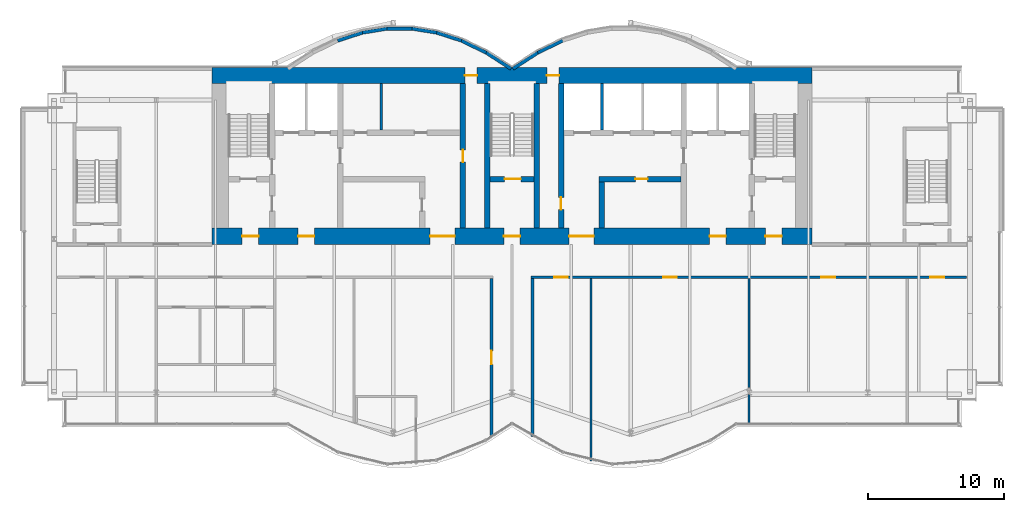
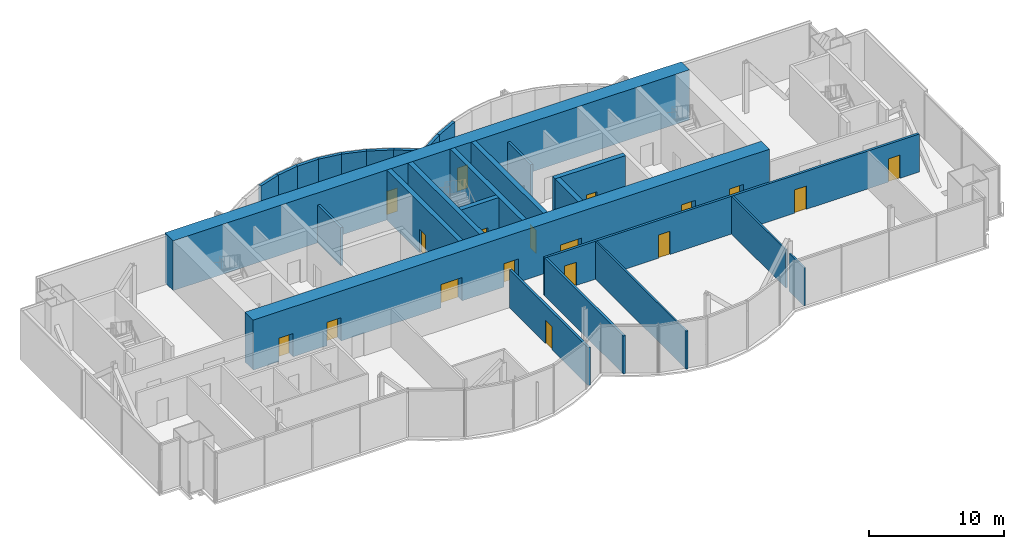
# One storey, part 13 of 18: 26 walls, 18 doors, 18 openings.
"""IFC4 building model written with IfcOpenShell, lengths in metres."""

import ifcopenshell
import ifcopenshell.guid

model = None  # the IFC model being written
_history = None  # IfcOwnerHistory: only IFC2X3 demands one
_inside = {}  # id of a spatial element -> (the spatial element, [elements in it])
_under = {}  # id of a project, library or spatial element -> (it, [spatial elements below it])
_declared = {}  # id of a project -> (the project, [libraries it declares])
_typed = {}  # id of a type object -> (the type object, [elements of that type])
_made_of = {}  # id of a material, layer set ... -> (it, [elements and type objects made of it])


def new_model(schema):
    """Start an empty IFC model of exactly this schema.

    Asked for "IFC4X3", IfcOpenShell would pick the latest addendum, in which some entities
    have other attributes; the version numbers below select the first issue.
    IFC2X3 requires an IfcOwnerHistory on every rooted entity: one is made here for all.
    """
    global model, _history
    if schema == "IFC4X3":
        model = ifcopenshell.file(schema_version=(4, 3, 0, 0))
    else:
        model = ifcopenshell.file(schema=schema)
    _inside.clear()
    _under.clear()
    _declared.clear()
    _typed.clear()
    _made_of.clear()
    _history = None
    if model.schema == "IFC2X3":
        org = make("IfcOrganization", Name="unknown")
        user = make(
            "IfcPersonAndOrganization",
            ThePerson=make("IfcPerson", FamilyName="unknown"),
            TheOrganization=org,
        )
        app = make(
            "IfcApplication",
            ApplicationDeveloper=org,
            Version="unknown",
            ApplicationFullName="unknown",
            ApplicationIdentifier="unknown",
        )
        _history = make(
            "IfcOwnerHistory",
            OwningUser=user,
            OwningApplication=app,
            ChangeAction="ADDED",
            CreationDate=0,
        )
    return model


def make(cls, **values):
    """One entity of the class cls with the attributes given. An attribute that is None is left unset."""
    return model.create_entity(
        cls, **{name: value for name, value in values.items() if value is not None}
    )


def rooted(cls, **values):
    """An entity with a GlobalId (a new one), such as an element, a storey or a relation."""
    return make(cls, GlobalId=ifcopenshell.guid.new(), OwnerHistory=_history, **values)


def si_unit(unit_type, name, prefix=None):
    """IfcSIUnit, for example si_unit("LENGTHUNIT", "METRE", prefix="MILLI")."""
    return make("IfcSIUnit", UnitType=unit_type, Prefix=prefix, Name=name)


def assignment(units):
    """IfcUnitAssignment: the units of a project."""
    return None if units is None else make("IfcUnitAssignment", Units=units)


def point(xyz):
    """IfcCartesianPoint."""
    return None if xyz is None else make("IfcCartesianPoint", Coordinates=xyz)


def direction(xyz):
    """IfcDirection."""
    return None if xyz is None else make("IfcDirection", DirectionRatios=xyz)


def frame(location, z_axis=None, x_axis=None):
    """IfcAxis2Placement3D, a coordinate frame: its origin and axes. An axis left out is left unset."""
    return make(
        "IfcAxis2Placement3D",
        Location=point(location),
        Axis=direction(z_axis),
        RefDirection=direction(x_axis),
    )


def frame_2d(location, x_axis=None):
    """IfcAxis2Placement2D, a coordinate frame in the plane: its origin and x axis."""
    return make(
        "IfcAxis2Placement2D", Location=point(location), RefDirection=direction(x_axis)
    )


def origin():
    """The frame at (0, 0, 0) with its axes left unset."""
    return frame((0.0, 0.0, 0.0))


def place(relative_to, where):
    """IfcLocalPlacement: puts the frame where relative to a parent placement (None: the world)."""
    return make(
        "IfcLocalPlacement", PlacementRelTo=relative_to, RelativePlacement=where
    )


def context(
    kind, dimensions, precision=None, world=None, true_north=None, identifier=None
):
    """IfcGeometricRepresentationContext, for example the 3D "Model" context."""
    return make(
        "IfcGeometricRepresentationContext",
        ContextIdentifier=identifier,
        ContextType=kind,
        CoordinateSpaceDimension=dimensions,
        Precision=precision,
        WorldCoordinateSystem=world,
        TrueNorth=true_north,
    )


def subcontext(parent, identifier, kind, view, scale=None):
    """IfcGeometricRepresentationSubContext, for example "Body" below "Model"."""
    return make(
        "IfcGeometricRepresentationSubContext",
        ContextIdentifier=identifier,
        ContextType=kind,
        ParentContext=parent,
        TargetScale=scale,
        TargetView=view,
    )


def project(units=None, contexts=None):
    """IfcProject with its units and contexts."""
    return rooted(
        "IfcProject",
        Name="project",
        RepresentationContexts=contexts,
        UnitsInContext=assignment(units),
    )


def spatial(cls, under=None, at=None, **own):
    """A site, building, storey or space (cls), placed at a placement, below another one or the project."""
    s = rooted(cls, ObjectPlacement=at, **own)
    if under is not None:
        _under.setdefault(under.id(), (under, []))[1].append(s)
    return s


def profile(cls, at=None, kind="AREA", **sizes):
    """A parametric profile (cls). Its sizes go by their IFC names, for example OverallWidth=200.0."""
    return make(cls, ProfileType=kind, Position=at, **sizes)


def rectangle(**sizes):
    """IfcRectangleProfileDef."""
    return profile("IfcRectangleProfileDef", **sizes)


def extrude(swept, where, along, depth):
    """IfcExtrudedAreaSolid: the profile swept, set in the frame where, extruded along a direction by depth."""
    return make(
        "IfcExtrudedAreaSolid",
        SweptArea=swept,
        Position=where,
        ExtrudedDirection=direction(along),
        Depth=depth,
    )


def shape(context_of_items, identifier, shape_type, items):
    """IfcShapeRepresentation: the items that make up one representation, for example the "Body"."""
    return make(
        "IfcShapeRepresentation",
        ContextOfItems=context_of_items,
        RepresentationIdentifier=identifier,
        RepresentationType=shape_type,
        Items=items,
    )


def material(Name=None, Category=None):
    """IfcMaterial."""
    return make("IfcMaterial", Name=Name, Category=Category)


def layer(
    of_material, thickness, ventilated=None, Name=None, Category=None, Priority=None
):
    """IfcMaterialLayer: one layer of a wall or slab, of a material (None: an air gap)."""
    return make(
        "IfcMaterialLayer",
        Material=of_material,
        LayerThickness=thickness,
        IsVentilated=ventilated,
        Name=Name,
        Category=Category,
        Priority=Priority,
    )


def layer_set(layers, Name=None):
    """IfcMaterialLayerSet."""
    return make("IfcMaterialLayerSet", MaterialLayers=layers, LayerSetName=Name)


def layer_usage(for_layer_set, set_direction, sense, offset, extent=None):
    """IfcMaterialLayerSetUsage: how a layer set lies in its element."""
    return make(
        "IfcMaterialLayerSetUsage",
        ForLayerSet=for_layer_set,
        LayerSetDirection=set_direction,
        DirectionSense=sense,
        OffsetFromReferenceLine=offset,
        ReferenceExtent=extent,
    )


def made_of(thing, what):
    """Note that an element or type object is made of a material, layer set ...; save() writes the relation."""
    if what is not None:
        _made_of.setdefault(what.id(), (what, []))[1].append(thing)
    return thing


def type_object(cls, material=None, **own):
    """A type object (cls), such as IfcWallType, which elements share."""
    return made_of(rooted(cls, **own), material)


def element(
    cls,
    number,
    at=None,
    inside=None,
    cuts=None,
    type_object=None,
    material=None,
    context=None,
    identifier="Body",
    shape_type=None,
    held_by="IfcProductDefinitionShape",
    body=None,
    shapes=None,
    **own,
):
    """One element of the class cls, such as IfcWall. Its Tag is "e" and its number.

    at: its placement. inside: the storey or other place that contains it. cuts: it is an
    opening in that element (IfcRelVoidsElement). A single representation is given by context,
    identifier, shape_type and body (its items); several are given by shapes. held_by: the class
    of the entity that holds the representations. save() writes the other relations.
    """
    e = rooted(cls, Tag="e%d" % number, ObjectPlacement=at, **own)
    if body is not None:
        shapes = [shape(context, identifier, shape_type, body)]
    if shapes is not None:
        e.Representation = make(held_by, Representations=shapes)
    if inside is not None:
        _inside.setdefault(inside.id(), (inside, []))[1].append(e)
    if cuts is not None:
        rooted(
            "IfcRelVoidsElement", RelatingBuildingElement=cuts, RelatedOpeningElement=e
        )
    if type_object is not None:
        _typed.setdefault(type_object.id(), (type_object, []))[1].append(e)
    return made_of(e, material)


def fill(opening, filler):
    """IfcRelFillsElement: the door or window that sits in an opening."""
    return rooted(
        "IfcRelFillsElement",
        RelatingOpeningElement=opening,
        RelatedBuildingElement=filler,
    )


def aggregate(whole, parts):
    """IfcRelAggregates: a whole, such as a stair, and the parts it consists of."""
    return rooted("IfcRelAggregates", RelatingObject=whole, RelatedObjects=parts)


def save(model, path):
    """Write the relations noted so far, then the file.

    IfcRelAggregates (storeys below a building ...), IfcRelContainedInSpatialStructure (elements
    in a storey), IfcRelDefinesByType, IfcRelAssociatesMaterial and IfcRelDeclares: one each for
    every whole, place, type object, material and project.
    """
    for whole, parts in _under.values():
        aggregate(whole, parts)
    for where, things in _inside.values():
        rooted(
            "IfcRelContainedInSpatialStructure",
            RelatedElements=things,
            RelatingStructure=where,
        )
    for kind, things in _typed.values():
        rooted("IfcRelDefinesByType", RelatedObjects=things, RelatingType=kind)
    for what, things in _made_of.values():
        rooted("IfcRelAssociatesMaterial", RelatedObjects=things, RelatingMaterial=what)
    for by, libraries in _declared.values():
        rooted("IfcRelDeclares", RelatingContext=by, RelatedDefinitions=libraries)
    model.write(path)


model = new_model("IFC4")

# Units and contexts
model_context = context("Model", 3, precision=1e-05, world=origin(), true_north=direction((0.0, 1.0)))
body_context = subcontext(model_context, "Body", "Model", "MODEL_VIEW")
ifc_project = project(units=[si_unit("LENGTHUNIT", "METRE"), si_unit("AREAUNIT", "SQUARE_METRE"), si_unit("VOLUMEUNIT", "CUBIC_METRE"), si_unit("PLANEANGLEUNIT", "RADIAN"), si_unit("MASSUNIT", "GRAM", prefix="KILO")], contexts=[model_context])

# Site, building, storey
site_placement = place(None, origin())
site = spatial("IfcSite", under=ifc_project, at=site_placement, CompositionType="ELEMENT")
building_placement = place(site_placement, origin())
building = spatial("IfcBuilding", under=site, at=building_placement, Name="Bicima Exchange Tower", CompositionType="ELEMENT")
storey_placement = place(building_placement, frame((0.0, 0.0, 311.0)))
storey = spatial("IfcBuildingStorey", under=building, at=storey_placement, Name="L70", CompositionType="ELEMENT", Elevation=311.0)

# Wall
ifc_material_1 = material(Name="Gypsum board partition")
ifc_layer_1 = layer(ifc_material_1, 0.199951171875)
ifc_layer_set_1 = layer_set([ifc_layer_1], Name="Gypsum board partition")
wall_type_1 = type_object("IfcWallType", Name="Fire-rated gypsum partition 200 EI120", PredefinedType="PARTITIONING", material=ifc_layer_set_1)
wall_1_placement = place(storey_placement, frame((6.60009765625, -4.60009765625, 0.0), z_axis=(0.0, 0.0, 1.0), x_axis=(0.0, 1.0, 0.0)))
element("IfcWall", 1, at=wall_1_placement, inside=storey, type_object=wall_type_1, Name="partition wall 18", PredefinedType="PARTITIONING", context=body_context, shape_type="SweptSolid", body=[
    extrude(rectangle(XDim=3.400146484375, YDim=0.199951171875, at=frame_2d((1.7001953125, 0.0))), origin(), (0.0, 0.0, 1.0), 3.418212890625),
])

# Wall, openings, doors
ifc_layer_2 = layer(ifc_material_1, 0.199951171875)
ifc_layer_set_2 = layer_set([ifc_layer_2], Name="Gypsum board partition")
wall_type_2 = type_object("IfcWallType", Name="Fire-rated gypsum partition 200 EI60", PredefinedType="PARTITIONING", material=ifc_layer_set_2)
wall_2_placement = place(storey_placement, frame((1.39990234375, -15.39990234375, 0.0), z_axis=(0.0, 0.0, 1.0), x_axis=(1.0, 0.0, 0.0)))
wall_2 = element("IfcWall", 2, at=wall_2_placement, inside=storey, type_object=wall_type_2, Name="partition wall 5", PredefinedType="PARTITIONING", context=body_context, shape_type="SweptSolid", body=[
    extrude(rectangle(XDim=31.940185546875, YDim=0.199951171875, at=frame_2d((15.97021484375, 0.0))), origin(), (0.0, 0.0, 1.0), 3.418212890625),
])
opening_1_placement = place(wall_2_placement, frame((1.699951171875, 0.0, 0.0)))
opening_1 = element("IfcOpeningElement", 3, at=opening_1_placement, cuts=wall_2, Name="Opening L70-015", PredefinedType="OPENING", context=body_context, shape_type="SweptSolid", body=[
    extrude(rectangle(XDim=1.0, YDim=2.10009765625, at=frame_2d((0.5, 1.050048828125))), frame((0.0, 0.11181640625, 0.0), z_axis=(0.0, -1.0, 0.0), x_axis=(1.0, 0.0, 0.0)), (0.0, 0.0, 1.0), 0.223876953125),
])
opening_2_placement = place(wall_2_placement, frame((9.699951171875, 0.0, 0.0)))
opening_2 = element("IfcOpeningElement", 4, at=opening_2_placement, cuts=wall_2, Name="Opening L70-016", PredefinedType="OPENING", context=body_context, shape_type="SweptSolid", body=[
    extrude(rectangle(XDim=1.0, YDim=2.10009765625, at=frame_2d((0.5, 1.050048828125))), frame((0.0, 0.11181640625, 0.0), z_axis=(0.0, -1.0, 0.0), x_axis=(1.0, 0.0, 0.0)), (0.0, 0.0, 1.0), 0.223876953125),
])
opening_3_placement = place(wall_2_placement, frame((21.300048828125, 0.0, 0.0)))
opening_3 = element("IfcOpeningElement", 5, at=opening_3_placement, cuts=wall_2, Name="Opening L70-017", PredefinedType="OPENING", context=body_context, shape_type="SweptSolid", body=[
    extrude(rectangle(XDim=1.0, YDim=2.10009765625, at=frame_2d((0.5, 1.050048828125))), frame((0.0, 0.11181640625, 0.0), z_axis=(0.0, -1.0, 0.0), x_axis=(1.0, 0.0, 0.0)), (0.0, 0.0, 1.0), 0.223876953125),
])
opening_4_placement = place(wall_2_placement, frame((29.300048828125, 0.0, 0.0)))
opening_4 = element("IfcOpeningElement", 6, at=opening_4_placement, cuts=wall_2, Name="Opening L70-018", PredefinedType="OPENING", context=body_context, shape_type="SweptSolid", body=[
    extrude(rectangle(XDim=1.0, YDim=2.10009765625, at=frame_2d((0.5, 1.050048828125))), frame((0.0, 0.11181640625, 0.0), z_axis=(0.0, -1.0, 0.0), x_axis=(1.0, 0.0, 0.0)), (0.0, 0.0, 1.0), 0.223876953125),
])
ifc_material_2 = material(Name="Steel fire door leaf", Category="steel")
door_type_1 = type_object("IfcDoorType", Name="Door 1000 swing FD30S", OperationType="SINGLE_SWING_LEFT", PredefinedType="DOOR", material=ifc_material_2)
door_1_placement = place(opening_1_placement, frame((1.0, 0.0, 0.0), z_axis=(0.0, 0.0, 1.0), x_axis=(-1.0, 0.0, 0.0)))
door_1 = element("IfcDoor", 7, at=door_1_placement, inside=storey, type_object=door_type_1, Name="Door", OperationType="SINGLE_SWING_RIGHT", OverallHeight=2.10009765625, OverallWidth=1.0, PredefinedType="DOOR", context=body_context, shape_type="SweptSolid", body=[
    extrude(rectangle(XDim=1.0, YDim=2.10009765625, at=frame_2d((0.5, 1.050048828125))), frame((0.0, 0.02490234375, 0.0), z_axis=(0.0, -1.0, 0.0), x_axis=(1.0, 0.0, 0.0)), (0.0, 0.0, 1.0), 0.050048828125),
])
fill(opening_1, door_1)
door_2_placement = place(opening_2_placement, frame((1.0, 0.0, 0.0), z_axis=(0.0, 0.0, 1.0), x_axis=(-1.0, 0.0, 0.0)))
door_2 = element("IfcDoor", 8, at=door_2_placement, inside=storey, type_object=door_type_1, Name="Door", OperationType="SINGLE_SWING_LEFT", OverallHeight=2.10009765625, OverallWidth=1.0, PredefinedType="DOOR", context=body_context, shape_type="SweptSolid", body=[
    extrude(rectangle(XDim=1.0, YDim=2.10009765625, at=frame_2d((0.5, 1.050048828125))), frame((0.0, 0.02490234375, 0.0), z_axis=(0.0, -1.0, 0.0), x_axis=(1.0, 0.0, 0.0)), (0.0, 0.0, 1.0), 0.050048828125),
])
fill(opening_2, door_2)
door_3_placement = place(opening_3_placement, frame((1.0, 0.0, 0.0), z_axis=(0.0, 0.0, 1.0), x_axis=(-1.0, 0.0, 0.0)))
door_3 = element("IfcDoor", 9, at=door_3_placement, inside=storey, type_object=door_type_1, Name="Door", OperationType="SINGLE_SWING_RIGHT", OverallHeight=2.10009765625, OverallWidth=1.0, PredefinedType="DOOR", context=body_context, shape_type="SweptSolid", body=[
    extrude(rectangle(XDim=1.0, YDim=2.10009765625, at=frame_2d((0.5, 1.050048828125))), frame((0.0, 0.02490234375, 0.0), z_axis=(0.0, -1.0, 0.0), x_axis=(1.0, 0.0, 0.0)), (0.0, 0.0, 1.0), 0.050048828125),
])
fill(opening_3, door_3)
door_4_placement = place(opening_4_placement, frame((1.0, 0.0, 0.0), z_axis=(0.0, 0.0, 1.0), x_axis=(-1.0, 0.0, 0.0)))
door_4 = element("IfcDoor", 10, at=door_4_placement, inside=storey, type_object=door_type_1, Name="Door", OperationType="SINGLE_SWING_RIGHT", OverallHeight=2.10009765625, OverallWidth=1.0, PredefinedType="DOOR", context=body_context, shape_type="SweptSolid", body=[
    extrude(rectangle(XDim=1.0, YDim=2.10009765625, at=frame_2d((0.5, 1.050048828125))), frame((0.0, 0.02490234375, 0.0), z_axis=(0.0, -1.0, 0.0), x_axis=(1.0, 0.0, 0.0)), (0.0, 0.0, 1.0), 0.050048828125),
])
fill(opening_4, door_4)

# Wall, opening, door
wall_3_placement = place(storey_placement, frame((-1.5, -27.10009765625, 0.0), z_axis=(0.0, 0.0, 1.0), x_axis=(0.0, 1.0, 0.0)))
wall_3 = element("IfcWall", 11, at=wall_3_placement, inside=storey, type_object=wall_type_2, Name="partition wall 22", PredefinedType="PARTITIONING", context=body_context, shape_type="SweptSolid", body=[
    extrude(rectangle(XDim=11.60009765625, YDim=0.199951171875, at=frame_2d((5.800048828125, 0.0))), origin(), (0.0, 0.0, 1.0), 3.418212890625),
])
opening_5_placement = place(wall_3_placement, frame((5.300048828125, 0.0, 0.0)))
opening_5 = element("IfcOpeningElement", 12, at=opening_5_placement, cuts=wall_3, Name="Opening L70-014", PredefinedType="OPENING", context=body_context, shape_type="SweptSolid", body=[
    extrude(rectangle(XDim=1.0, YDim=2.10009765625, at=frame_2d((0.5, 1.050048828125))), frame((0.0, 0.11181640625, 0.0), z_axis=(0.0, -1.0, 0.0), x_axis=(1.0, 0.0, 0.0)), (0.0, 0.0, 1.0), 0.223876953125),
])
door_5_placement = place(opening_5_placement, origin())
door_5 = element("IfcDoor", 13, at=door_5_placement, inside=storey, type_object=door_type_1, Name="Door", OperationType="SINGLE_SWING_LEFT", OverallHeight=2.10009765625, OverallWidth=1.0, PredefinedType="DOOR", context=body_context, shape_type="SweptSolid", body=[
    extrude(rectangle(XDim=1.0, YDim=2.10009765625, at=frame_2d((0.5, 1.050048828125))), frame((0.0, 0.02490234375, 0.0), z_axis=(0.0, -1.0, 0.0), x_axis=(1.0, 0.0, 0.0)), (0.0, 0.0, 1.0), 0.050048828125),
])
fill(opening_5, door_5)

# Walls
wall_4_placement = place(storey_placement, frame((1.5, -27.10009765625, 0.0), z_axis=(0.0, 0.0, 1.0), x_axis=(0.0, 1.0, 0.0)))
element("IfcWall", 14, at=wall_4_placement, inside=storey, type_object=wall_type_2, Name="partition wall 23", PredefinedType="PARTITIONING", context=body_context, shape_type="SweptSolid", body=[
    extrude(rectangle(XDim=11.60009765625, YDim=0.199951171875, at=frame_2d((5.800048828125, 0.0))), origin(), (0.0, 0.0, 1.0), 3.418212890625),
])
wall_5_placement = place(storey_placement, frame((-9.60009765625, -4.60009765625, 0.0), z_axis=(0.0, 0.0, 1.0), x_axis=(0.0, 1.0, 0.0)))
element("IfcWall", 15, at=wall_5_placement, inside=storey, type_object=wall_type_2, Name="partition wall 11", PredefinedType="PARTITIONING", context=body_context, shape_type="SweptSolid", body=[
    extrude(rectangle(XDim=3.400146484375, YDim=0.199951171875, at=frame_2d((1.7001953125, 0.0))), origin(), (0.0, 0.0, 1.0), 3.418212890625),
])
ifc_layer_3 = layer(ifc_material_1, 0.14990234375)
ifc_layer_set_3 = layer_set([ifc_layer_3], Name="Gypsum board partition")
wall_type_3 = type_object("IfcWallType", Name="Gypsum partition 150", PredefinedType="PARTITIONING", material=ifc_layer_set_3)
wall_6_placement = place(storey_placement, frame((5.800048828125, -28.889892578125, 0.0), z_axis=(0.0, 0.0, 1.0), x_axis=(0.0, 1.0, 0.0)))
element("IfcWall", 16, at=wall_6_placement, inside=storey, type_object=wall_type_3, Name="partition wall 24", PredefinedType="PARTITIONING", context=body_context, shape_type="SweptSolid", body=[
    extrude(rectangle(XDim=13.389892578125, YDim=0.14990234375, at=frame_2d((6.69482421875, 0.0))), origin(), (0.0, 0.0, 1.0), 3.418212890625),
])
wall_7_placement = place(storey_placement, frame((17.39990234375, -26.169921875, 0.0), z_axis=(0.0, 0.0, 1.0), x_axis=(0.0, 1.0, 0.0)))
element("IfcWall", 17, at=wall_7_placement, inside=storey, type_object=wall_type_3, Name="partition wall 25", PredefinedType="PARTITIONING", context=body_context, shape_type="SweptSolid", body=[
    extrude(rectangle(XDim=2.18603515625, YDim=0.14990234375, at=frame_2d((1.093017578125, 0.0))), origin(), (0.0, 0.0, 1.0), 3.418212890625),
])
wall_8_placement = place(storey_placement, frame((17.39990234375, -23.49609375, 0.0), z_axis=(0.0, 0.0, 1.0), x_axis=(0.0, 1.0, 0.0)))
element("IfcWall", 18, at=wall_8_placement, inside=storey, type_object=wall_type_3, Name="partition wall 26", PredefinedType="PARTITIONING", context=body_context, shape_type="SweptSolid", body=[
    extrude(rectangle(XDim=7.99609375, YDim=0.14990234375, at=frame_2d((3.998046875, 0.0))), origin(), (0.0, 0.0, 1.0), 3.418212890625),
])

# Wall, openings, doors
ifc_material_3 = material(Name="Concrete C40/50", Category="concrete")
ifc_layer_4 = layer(ifc_material_3, 1.199951171875)
ifc_layer_set_4 = layer_set([ifc_layer_4], Name="Concrete C40/50")
wall_type_4 = type_object("IfcWallType", Name="RC core wall 1200 C40/50", PredefinedType="SHEAR", material=ifc_layer_set_4)
wall_9_placement = place(storey_placement, frame((-22.0, -0.60009765625, 0.0), z_axis=(0.0, 0.0, 1.0), x_axis=(1.0, 0.0, 0.0)))
wall_9 = element("IfcWall", 19, at=wall_9_placement, inside=storey, type_object=wall_type_4, Name="Core wall north", PredefinedType="SHEAR", context=body_context, shape_type="SweptSolid", body=[
    extrude(rectangle(XDim=44.0, YDim=1.199951171875, at=frame_2d((22.0, 0.0))), origin(), (0.0, 0.0, 1.0), 4.5),
])
opening_6_placement = place(wall_9_placement, frame((18.550048828125, 0.0, 0.0)))
opening_6 = element("IfcOpeningElement", 20, at=opening_6_placement, cuts=wall_9, Name="Opening L70-C16", PredefinedType="OPENING", context=body_context, shape_type="SweptSolid", body=[
    extrude(rectangle(XDim=0.89990234375, YDim=2.10009765625, at=frame_2d((0.449951171875, 1.050048828125))), frame((0.0, 0.61181640625, 0.0), z_axis=(0.0, -1.0, 0.0), x_axis=(1.0, 0.0, 0.0)), (0.0, 0.0, 1.0), 1.223876953125),
])
opening_7_placement = place(wall_9_placement, frame((24.550048828125, 0.0, 0.0)))
opening_7 = element("IfcOpeningElement", 21, at=opening_7_placement, cuts=wall_9, Name="Opening L70-C17", PredefinedType="OPENING", context=body_context, shape_type="SweptSolid", body=[
    extrude(rectangle(XDim=0.89990234375, YDim=2.10009765625, at=frame_2d((0.449951171875, 1.050048828125))), frame((0.0, 0.61181640625, 0.0), z_axis=(0.0, -1.0, 0.0), x_axis=(1.0, 0.0, 0.0)), (0.0, 0.0, 1.0), 1.223876953125),
])
door_type_2 = type_object("IfcDoorType", Name="Door 900 swing FD30S", OperationType="SINGLE_SWING_LEFT", PredefinedType="DOOR", material=ifc_material_2)
door_6_placement = place(opening_6_placement, origin())
door_6 = element("IfcDoor", 22, at=door_6_placement, inside=storey, type_object=door_type_2, Name="Core door", OperationType="SINGLE_SWING_LEFT", OverallHeight=2.10009765625, OverallWidth=0.89990234375, PredefinedType="DOOR", context=body_context, shape_type="SweptSolid", body=[
    extrude(rectangle(XDim=0.89990234375, YDim=2.10009765625, at=frame_2d((0.449951171875, 1.050048828125))), frame((0.0, 0.02490234375, 0.0), z_axis=(0.0, -1.0, 0.0), x_axis=(1.0, 0.0, 0.0)), (0.0, 0.0, 1.0), 0.050048828125),
])
fill(opening_6, door_6)
door_7_placement = place(opening_7_placement, origin())
door_7 = element("IfcDoor", 23, at=door_7_placement, inside=storey, type_object=door_type_2, Name="Core door", OperationType="SINGLE_SWING_LEFT", OverallHeight=2.10009765625, OverallWidth=0.89990234375, PredefinedType="DOOR", context=body_context, shape_type="SweptSolid", body=[
    extrude(rectangle(XDim=0.89990234375, YDim=2.10009765625, at=frame_2d((0.449951171875, 1.050048828125))), frame((0.0, 0.02490234375, 0.0), z_axis=(0.0, -1.0, 0.0), x_axis=(1.0, 0.0, 0.0)), (0.0, 0.0, 1.0), 0.050048828125),
])
fill(opening_7, door_7)

wall_10_placement = place(storey_placement, frame((-22.0, -12.39990234375, 0.0), z_axis=(0.0, 0.0, 1.0), x_axis=(1.0, 0.0, 0.0)))
wall_10 = element("IfcWall", 24, at=wall_10_placement, inside=storey, type_object=wall_type_4, Name="Core wall south", PredefinedType="SHEAR", context=body_context, shape_type="SweptSolid", body=[
    extrude(rectangle(XDim=44.0, YDim=1.199951171875, at=frame_2d((22.0, 0.0))), origin(), (0.0, 0.0, 1.0), 4.5),
])
opening_8_placement = place(wall_10_placement, frame((2.199951171875, 0.0, 0.0)))
opening_8 = element("IfcOpeningElement", 25, at=opening_8_placement, cuts=wall_10, Name="Opening L70-C18", PredefinedType="OPENING", context=body_context, shape_type="SweptSolid", body=[
    extrude(rectangle(XDim=1.199951171875, YDim=2.10009765625, at=frame_2d((0.60009765625, 1.050048828125))), frame((0.0, 0.61181640625, 0.0), z_axis=(0.0, -1.0, 0.0), x_axis=(1.0, 0.0, 0.0)), (0.0, 0.0, 1.0), 1.223876953125),
])
opening_9_placement = place(wall_10_placement, frame((21.39990234375, 0.0, 0.0)))
opening_9 = element("IfcOpeningElement", 26, at=opening_9_placement, cuts=wall_10, Name="Opening L70-C19", PredefinedType="OPENING", context=body_context, shape_type="SweptSolid", body=[
    extrude(rectangle(XDim=1.199951171875, YDim=2.10009765625, at=frame_2d((0.60009765625, 1.050048828125))), frame((0.0, 0.61181640625, 0.0), z_axis=(0.0, -1.0, 0.0), x_axis=(1.0, 0.0, 0.0)), (0.0, 0.0, 1.0), 1.223876953125),
])
opening_10_placement = place(wall_10_placement, frame((40.60009765625, 0.0, 0.0)))
opening_10 = element("IfcOpeningElement", 27, at=opening_10_placement, cuts=wall_10, Name="Opening L70-C20", PredefinedType="OPENING", context=body_context, shape_type="SweptSolid", body=[
    extrude(rectangle(XDim=1.199951171875, YDim=2.10009765625, at=frame_2d((0.60009765625, 1.050048828125))), frame((0.0, 0.61181640625, 0.0), z_axis=(0.0, -1.0, 0.0), x_axis=(1.0, 0.0, 0.0)), (0.0, 0.0, 1.0), 1.223876953125),
])
opening_11_placement = place(wall_10_placement, frame((16.0, 0.0, 0.0)))
opening_11 = element("IfcOpeningElement", 28, at=opening_11_placement, cuts=wall_10, Name="Opening L70-C21", PredefinedType="OPENING", context=body_context, shape_type="SweptSolid", body=[
    extrude(rectangle(XDim=1.800048828125, YDim=2.10009765625, at=frame_2d((0.89990234375, 1.050048828125))), frame((0.0, 0.61181640625, 0.0), z_axis=(0.0, -1.0, 0.0), x_axis=(1.0, 0.0, 0.0)), (0.0, 0.0, 1.0), 1.223876953125),
])
opening_12_placement = place(wall_10_placement, frame((6.300048828125, 0.0, 0.0)))
opening_12 = element("IfcOpeningElement", 29, at=opening_12_placement, cuts=wall_10, Name="Opening L70-C22", PredefinedType="OPENING", context=body_context, shape_type="SweptSolid", body=[
    extrude(rectangle(XDim=1.199951171875, YDim=2.10009765625, at=frame_2d((0.60009765625, 1.050048828125))), frame((0.0, 0.61181640625, 0.0), z_axis=(0.0, -1.0, 0.0), x_axis=(1.0, 0.0, 0.0)), (0.0, 0.0, 1.0), 1.223876953125),
])
opening_13_placement = place(wall_10_placement, frame((26.199951171875, 0.0, 0.0)))
opening_13 = element("IfcOpeningElement", 30, at=opening_13_placement, cuts=wall_10, Name="Opening L70-C23", PredefinedType="OPENING", context=body_context, shape_type="SweptSolid", body=[
    extrude(rectangle(XDim=1.800048828125, YDim=2.10009765625, at=frame_2d((0.89990234375, 1.050048828125))), frame((0.0, 0.61181640625, 0.0), z_axis=(0.0, -1.0, 0.0), x_axis=(1.0, 0.0, 0.0)), (0.0, 0.0, 1.0), 1.223876953125),
])
opening_14_placement = place(wall_10_placement, frame((36.5, 0.0, 0.0)))
opening_14 = element("IfcOpeningElement", 31, at=opening_14_placement, cuts=wall_10, Name="Opening L70-C24", PredefinedType="OPENING", context=body_context, shape_type="SweptSolid", body=[
    extrude(rectangle(XDim=1.199951171875, YDim=2.10009765625, at=frame_2d((0.60009765625, 1.050048828125))), frame((0.0, 0.61181640625, 0.0), z_axis=(0.0, -1.0, 0.0), x_axis=(1.0, 0.0, 0.0)), (0.0, 0.0, 1.0), 1.223876953125),
])
door_type_3 = type_object("IfcDoorType", Name="Door 1200 swing FD60S", OperationType="SINGLE_SWING_LEFT", PredefinedType="DOOR", material=ifc_material_2)
door_8_placement = place(opening_8_placement, frame((1.199951171875, 0.0, 0.0), z_axis=(0.0, 0.0, 1.0), x_axis=(-1.0, 0.0, 0.0)))
door_8 = element("IfcDoor", 32, at=door_8_placement, inside=storey, type_object=door_type_3, Name="Core door", OperationType="SINGLE_SWING_RIGHT", OverallHeight=2.10009765625, OverallWidth=1.199951171875, PredefinedType="DOOR", context=body_context, shape_type="SweptSolid", body=[
    extrude(rectangle(XDim=1.199951171875, YDim=2.10009765625, at=frame_2d((0.60009765625, 1.050048828125))), frame((0.0, 0.02490234375, 0.0), z_axis=(0.0, -1.0, 0.0), x_axis=(1.0, 0.0, 0.0)), (0.0, 0.0, 1.0), 0.050048828125),
])
fill(opening_8, door_8)
door_9_placement = place(opening_9_placement, frame((1.199951171875, 0.0, 0.0), z_axis=(0.0, 0.0, 1.0), x_axis=(-1.0, 0.0, 0.0)))
door_9 = element("IfcDoor", 33, at=door_9_placement, inside=storey, type_object=door_type_3, Name="Core door", OperationType="SINGLE_SWING_RIGHT", OverallHeight=2.10009765625, OverallWidth=1.199951171875, PredefinedType="DOOR", context=body_context, shape_type="SweptSolid", body=[
    extrude(rectangle(XDim=1.199951171875, YDim=2.10009765625, at=frame_2d((0.60009765625, 1.050048828125))), frame((0.0, 0.02490234375, 0.0), z_axis=(0.0, -1.0, 0.0), x_axis=(1.0, 0.0, 0.0)), (0.0, 0.0, 1.0), 0.050048828125),
])
fill(opening_9, door_9)
door_10_placement = place(opening_10_placement, frame((1.199951171875, 0.0, 0.0), z_axis=(0.0, 0.0, 1.0), x_axis=(-1.0, 0.0, 0.0)))
door_10 = element("IfcDoor", 34, at=door_10_placement, inside=storey, type_object=door_type_3, Name="Core door", OperationType="SINGLE_SWING_RIGHT", OverallHeight=2.10009765625, OverallWidth=1.199951171875, PredefinedType="DOOR", context=body_context, shape_type="SweptSolid", body=[
    extrude(rectangle(XDim=1.199951171875, YDim=2.10009765625, at=frame_2d((0.60009765625, 1.050048828125))), frame((0.0, 0.02490234375, 0.0), z_axis=(0.0, -1.0, 0.0), x_axis=(1.0, 0.0, 0.0)), (0.0, 0.0, 1.0), 0.050048828125),
])
fill(opening_10, door_10)
door_11_placement = place(opening_12_placement, frame((1.199951171875, 0.0, 0.0), z_axis=(0.0, 0.0, 1.0), x_axis=(-1.0, 0.0, 0.0)))
door_11 = element("IfcDoor", 35, at=door_11_placement, inside=storey, type_object=door_type_3, Name="Core door", OperationType="SINGLE_SWING_RIGHT", OverallHeight=2.10009765625, OverallWidth=1.199951171875, PredefinedType="DOOR", context=body_context, shape_type="SweptSolid", body=[
    extrude(rectangle(XDim=1.199951171875, YDim=2.10009765625, at=frame_2d((0.60009765625, 1.050048828125))), frame((0.0, 0.02490234375, 0.0), z_axis=(0.0, -1.0, 0.0), x_axis=(1.0, 0.0, 0.0)), (0.0, 0.0, 1.0), 0.050048828125),
])
fill(opening_12, door_11)
door_12_placement = place(opening_14_placement, frame((1.199951171875, 0.0, 0.0), z_axis=(0.0, 0.0, 1.0), x_axis=(-1.0, 0.0, 0.0)))
door_12 = element("IfcDoor", 36, at=door_12_placement, inside=storey, type_object=door_type_3, Name="Core door", OperationType="SINGLE_SWING_RIGHT", OverallHeight=2.10009765625, OverallWidth=1.199951171875, PredefinedType="DOOR", context=body_context, shape_type="SweptSolid", body=[
    extrude(rectangle(XDim=1.199951171875, YDim=2.10009765625, at=frame_2d((0.60009765625, 1.050048828125))), frame((0.0, 0.02490234375, 0.0), z_axis=(0.0, -1.0, 0.0), x_axis=(1.0, 0.0, 0.0)), (0.0, 0.0, 1.0), 0.050048828125),
])
fill(opening_14, door_12)
door_type_4 = type_object("IfcDoorType", Name="Door 1800 double swing FD30S", OperationType="DOUBLE_DOOR_SINGLE_SWING", PredefinedType="DOOR", material=ifc_material_2)
door_13_placement = place(opening_11_placement, origin())
door_13 = element("IfcDoor", 37, at=door_13_placement, inside=storey, type_object=door_type_4, Name="Core door", OperationType="SINGLE_SWING_LEFT", OverallHeight=2.10009765625, OverallWidth=1.800048828125, PredefinedType="DOOR", context=body_context, shape_type="SweptSolid", body=[
    extrude(rectangle(XDim=1.800048828125, YDim=2.10009765625, at=frame_2d((0.89990234375, 1.050048828125))), frame((0.0, 0.02490234375, 0.0), z_axis=(0.0, -1.0, 0.0), x_axis=(1.0, 0.0, 0.0)), (0.0, 0.0, 1.0), 0.050048828125),
])
fill(opening_11, door_13)
door_14_placement = place(opening_13_placement, origin())
door_14 = element("IfcDoor", 38, at=door_14_placement, inside=storey, type_object=door_type_4, Name="Core door", OperationType="SINGLE_SWING_LEFT", OverallHeight=2.10009765625, OverallWidth=1.800048828125, PredefinedType="DOOR", context=body_context, shape_type="SweptSolid", body=[
    extrude(rectangle(XDim=1.800048828125, YDim=2.10009765625, at=frame_2d((0.89990234375, 1.050048828125))), frame((0.0, 0.02490234375, 0.0), z_axis=(0.0, -1.0, 0.0), x_axis=(1.0, 0.0, 0.0)), (0.0, 0.0, 1.0), 0.050048828125),
])
fill(opening_13, door_14)

# Wall, opening, door
ifc_layer_5 = layer(ifc_material_3, 0.39990234375)
ifc_layer_set_5 = layer_set([ifc_layer_5], Name="Concrete C40/50")
wall_type_5 = type_object("IfcWallType", Name="RC core wall 400 C40/50", PredefinedType="SHEAR", material=ifc_layer_set_5)
wall_11_placement = place(storey_placement, frame((6.39990234375, -8.199951171875, 0.0), z_axis=(0.0, 0.0, 1.0), x_axis=(1.0, 0.0, 0.0)))
wall_11 = element("IfcWall", 39, at=wall_11_placement, inside=storey, type_object=wall_type_5, Name="shear wall 4", PredefinedType="SHEAR", context=body_context, shape_type="SweptSolid", body=[
    extrude(rectangle(XDim=6.0, YDim=0.39990234375, at=frame_2d((3.0, 0.0))), origin(), (0.0, 0.0, 1.0), 4.5),
])
opening_15_placement = place(wall_11_placement, frame((2.64990234375, 0.0, 0.0)))
opening_15 = element("IfcOpeningElement", 40, at=opening_15_placement, cuts=wall_11, Name="Opening L70-C15", PredefinedType="OPENING", context=body_context, shape_type="SweptSolid", body=[
    extrude(rectangle(XDim=0.89990234375, YDim=2.10009765625, at=frame_2d((0.449951171875, 1.050048828125))), frame((0.0, 0.2119140625, 0.0), z_axis=(0.0, -1.0, 0.0), x_axis=(1.0, 0.0, 0.0)), (0.0, 0.0, 1.0), 0.423828125),
])
door_15_placement = place(opening_15_placement, frame((0.89990234375, 0.0, 0.0), z_axis=(0.0, 0.0, 1.0), x_axis=(-1.0, 0.0, 0.0)))
door_15 = element("IfcDoor", 41, at=door_15_placement, inside=storey, type_object=door_type_2, Name="Core door", OperationType="SINGLE_SWING_RIGHT", OverallHeight=2.10009765625, OverallWidth=0.89990234375, PredefinedType="DOOR", context=body_context, shape_type="SweptSolid", body=[
    extrude(rectangle(XDim=0.89990234375, YDim=2.10009765625, at=frame_2d((0.449951171875, 1.050048828125))), frame((0.0, 0.02490234375, 0.0), z_axis=(0.0, -1.0, 0.0), x_axis=(1.0, 0.0, 0.0)), (0.0, 0.0, 1.0), 0.050048828125),
])
fill(opening_15, door_15)

wall_12_placement = place(storey_placement, frame((-3.60009765625, -11.800048828125, 0.0), z_axis=(0.0, 0.0, 1.0), x_axis=(0.0, 1.0, 0.0)))
wall_12 = element("IfcWall", 42, at=wall_12_placement, inside=storey, type_object=wall_type_5, Name="shear wall 13", PredefinedType="SHEAR", context=body_context, shape_type="SweptSolid", body=[
    extrude(rectangle(XDim=10.60009765625, YDim=0.39990234375, at=frame_2d((5.300048828125, 0.0))), origin(), (0.0, 0.0, 1.0), 4.5),
])
opening_16_placement = place(wall_12_placement, frame((4.85009765625, 0.0, 0.0)))
opening_16 = element("IfcOpeningElement", 43, at=opening_16_placement, cuts=wall_12, Name="Opening L70-C10", PredefinedType="OPENING", context=body_context, shape_type="SweptSolid", body=[
    extrude(rectangle(XDim=0.89990234375, YDim=2.10009765625, at=frame_2d((0.449951171875, 1.050048828125))), frame((0.0, 0.2119140625, 0.0), z_axis=(0.0, -1.0, 0.0), x_axis=(1.0, 0.0, 0.0)), (0.0, 0.0, 1.0), 0.423828125),
])
door_16_placement = place(opening_16_placement, frame((0.89990234375, 0.0, 0.0), z_axis=(0.0, 0.0, 1.0), x_axis=(-1.0, 0.0, 0.0)))
door_16 = element("IfcDoor", 44, at=door_16_placement, inside=storey, type_object=door_type_2, Name="Core door", OperationType="SINGLE_SWING_LEFT", OverallHeight=2.10009765625, OverallWidth=0.89990234375, PredefinedType="DOOR", context=body_context, shape_type="SweptSolid", body=[
    extrude(rectangle(XDim=0.89990234375, YDim=2.10009765625, at=frame_2d((0.449951171875, 1.050048828125))), frame((0.0, 0.02490234375, 0.0), z_axis=(0.0, -1.0, 0.0), x_axis=(1.0, 0.0, 0.0)), (0.0, 0.0, 1.0), 0.050048828125),
])
fill(opening_16, door_16)

wall_13_placement = place(storey_placement, frame((3.60009765625, -11.800048828125, 0.0), z_axis=(0.0, 0.0, 1.0), x_axis=(0.0, 1.0, 0.0)))
wall_13 = element("IfcWall", 45, at=wall_13_placement, inside=storey, type_object=wall_type_5, Name="shear wall 16", PredefinedType="SHEAR", context=body_context, shape_type="SweptSolid", body=[
    extrude(rectangle(XDim=10.60009765625, YDim=0.39990234375, at=frame_2d((5.300048828125, 0.0))), origin(), (0.0, 0.0, 1.0), 4.5),
])
opening_17_placement = place(wall_13_placement, frame((1.35009765625, 0.0, 0.0)))
opening_17 = element("IfcOpeningElement", 46, at=opening_17_placement, cuts=wall_13, Name="Opening L70-C11", PredefinedType="OPENING", context=body_context, shape_type="SweptSolid", body=[
    extrude(rectangle(XDim=0.89990234375, YDim=2.10009765625, at=frame_2d((0.449951171875, 1.050048828125))), frame((0.0, 0.2119140625, 0.0), z_axis=(0.0, -1.0, 0.0), x_axis=(1.0, 0.0, 0.0)), (0.0, 0.0, 1.0), 0.423828125),
])
door_17_placement = place(opening_17_placement, origin())
door_17 = element("IfcDoor", 47, at=door_17_placement, inside=storey, type_object=door_type_2, Name="Core door", OperationType="SINGLE_SWING_LEFT", OverallHeight=2.10009765625, OverallWidth=0.89990234375, PredefinedType="DOOR", context=body_context, shape_type="SweptSolid", body=[
    extrude(rectangle(XDim=0.89990234375, YDim=2.10009765625, at=frame_2d((0.449951171875, 1.050048828125))), frame((0.0, 0.02490234375, 0.0), z_axis=(0.0, -1.0, 0.0), x_axis=(1.0, 0.0, 0.0)), (0.0, 0.0, 1.0), 0.050048828125),
])
fill(opening_17, door_17)

# Wall
wall_14_placement = place(storey_placement, frame((6.60009765625, -11.800048828125, 0.0), z_axis=(0.0, 0.0, 1.0), x_axis=(0.0, 1.0, 0.0)))
element("IfcWall", 48, at=wall_14_placement, inside=storey, type_object=wall_type_5, Name="shear wall 17", PredefinedType="SHEAR", context=body_context, shape_type="SweptSolid", body=[
    extrude(rectangle(XDim=3.400146484375, YDim=0.39990234375, at=frame_2d((1.7001953125, 0.0))), origin(), (0.0, 0.0, 1.0), 4.5),
])

# Wall, opening, door
ifc_material_4 = material(Name="Concrete C50/60", Category="concrete")
ifc_layer_6 = layer(ifc_material_4, 0.39990234375)
ifc_layer_set_6 = layer_set([ifc_layer_6], Name="Concrete C50/60")
wall_type_6 = type_object("IfcWallType", Name="RC core wall 400 C50/60", PredefinedType="SHEAR", material=ifc_layer_set_6)
wall_15_placement = place(storey_placement, frame((-1.60009765625, -8.199951171875, 0.0), z_axis=(0.0, 0.0, 1.0), x_axis=(1.0, 0.0, 0.0)))
wall_15 = element("IfcWall", 49, at=wall_15_placement, inside=storey, type_object=wall_type_6, Name="stair wall 3", PredefinedType="SHEAR", context=body_context, shape_type="SweptSolid", body=[
    extrude(rectangle(XDim=3.2001953125, YDim=0.39990234375, at=frame_2d((1.60009765625, 0.0))), origin(), (0.0, 0.0, 1.0), 4.5),
])
opening_18_placement = place(wall_15_placement, frame((1.050048828125, 0.0, 0.0)))
opening_18 = element("IfcOpeningElement", 50, at=opening_18_placement, cuts=wall_15, Name="Opening L70-C03", PredefinedType="OPENING", context=body_context, shape_type="SweptSolid", body=[
    extrude(rectangle(XDim=1.199951171875, YDim=2.10009765625, at=frame_2d((0.60009765625, 1.050048828125))), frame((0.0, 0.2119140625, 0.0), z_axis=(0.0, -1.0, 0.0), x_axis=(1.0, 0.0, 0.0)), (0.0, 0.0, 1.0), 0.423828125),
])
door_18_placement = place(opening_18_placement, origin())
door_18 = element("IfcDoor", 51, at=door_18_placement, inside=storey, type_object=door_type_3, Name="Core door", OperationType="SINGLE_SWING_LEFT", OverallHeight=2.10009765625, OverallWidth=1.199951171875, PredefinedType="DOOR", context=body_context, shape_type="SweptSolid", body=[
    extrude(rectangle(XDim=1.199951171875, YDim=2.10009765625, at=frame_2d((0.60009765625, 1.050048828125))), frame((0.0, 0.02490234375, 0.0), z_axis=(0.0, -1.0, 0.0), x_axis=(1.0, 0.0, 0.0)), (0.0, 0.0, 1.0), 0.050048828125),
])
fill(opening_18, door_18)

# Walls
for number, where, z_axis, x_axis, name in (
    (52, (-1.800048828125, -11.800048828125, 0.0), (0.0, 0.0, 1.0), (0.0, 1.0, 0.0), "stair wall 14"),
    (53, (1.800048828125, -11.800048828125, 0.0), (0.0, 0.0, 1.0), (0.0, 1.0, 0.0), "stair wall 15"),
):
    element("IfcWall", number, at=place(storey_placement, frame(where, z_axis=z_axis, x_axis=x_axis)), inside=storey, type_object=wall_type_6, Name=name, PredefinedType="SHEAR", context=body_context, shape_type="SweptSolid", body=[
        extrude(rectangle(XDim=10.60009765625, YDim=0.39990234375, at=frame_2d((5.300048828125, 0.0))), origin(), (0.0, 0.0, 1.0), 4.5),
    ])
ifc_layer_7 = layer(ifc_material_3, 0.25)
ifc_layer_set_7 = layer_set([ifc_layer_7], Name="Concrete C40/50")
ifc_layer_usage = layer_usage(ifc_layer_set_7, "AXIS2", "POSITIVE", -0.125)
wall_type_7 = type_object("IfcWallType", Name="Rear backup wall 250", PredefinedType="STANDARD", material=ifc_layer_set_7)
wall_16_placement = place(storey_placement, frame((3.72119140625, 1.961669921875, 0.0), z_axis=(0.0, 0.0, 1.0), x_axis=(-0.89982408427, -0.436252928206, 0.0)))
element("IfcWall", 54, at=wall_16_placement, inside=storey, type_object=wall_type_7, material=ifc_layer_usage, Name="Rear backup wall L70 9", PredefinedType="STANDARD", context=body_context, shape_type="SweptSolid", body=[
    extrude(rectangle(XDim=2.03759765625, YDim=0.25, at=frame_2d((1.018798828125, 0.0))), origin(), (0.0, 0.0, 1.0), 4.35009765625),
])
for number, where, z_axis, x_axis, name in (
    (55, (1.901123046875, 1.080078125, 0.0), (0.0, 0.0, 1.0), (-0.83981312244, -0.542875602121, 0.0), "Rear backup wall L70 10"),
    (56, (-0.06787109375, -0.10498046875, 0.0), (0.0, 0.0, 1.0), (-0.83981312244, 0.542875602121, 0.0), "Rear backup wall L70 11"),
):
    element("IfcWall", number, at=place(storey_placement, frame(where, z_axis=z_axis, x_axis=x_axis)), inside=storey, type_object=wall_type_7, material=ifc_layer_usage, Name=name, PredefinedType="STANDARD", context=body_context, shape_type="SweptSolid", body=[
        extrude(rectangle(XDim=2.182861328125, YDim=0.25, at=frame_2d((1.09130859375, 0.0))), origin(), (0.0, 0.0, 1.0), 4.35009765625),
    ])
wall_17_placement = place(storey_placement, frame((-1.8876953125, 1.07275390625, 0.0), z_axis=(0.0, 0.0, 1.0), x_axis=(-0.89982408427, 0.436252928206, 0.0)))
element("IfcWall", 57, at=wall_17_placement, inside=storey, type_object=wall_type_7, material=ifc_layer_usage, Name="Rear backup wall L70 12", PredefinedType="STANDARD", context=body_context, shape_type="SweptSolid", body=[
    extrude(rectangle(XDim=2.03759765625, YDim=0.25, at=frame_2d((1.018798828125, 0.0))), origin(), (0.0, 0.0, 1.0), 4.35009765625),
])
wall_18_placement = place(storey_placement, frame((-3.705078125, 1.955078125, 0.0), z_axis=(0.0, 0.0, 1.0), x_axis=(-0.951495806175, 0.307661714928, 0.0)))
element("IfcWall", 58, at=wall_18_placement, inside=storey, type_object=wall_type_7, material=ifc_layer_usage, Name="Rear backup wall L70 13", PredefinedType="STANDARD", context=body_context, shape_type="SweptSolid", body=[
    extrude(rectangle(XDim=1.9267578125, YDim=0.25, at=frame_2d((0.96337890625, 0.0))), origin(), (0.0, 0.0, 1.0), 4.35009765625),
])
wall_19_placement = place(storey_placement, frame((-5.52001953125, 2.543212890625, 0.0), z_axis=(0.0, 0.0, 1.0), x_axis=(-0.987181718931, 0.159600293885, 0.0)))
element("IfcWall", 59, at=wall_19_placement, inside=storey, type_object=wall_type_7, material=ifc_layer_usage, Name="Rear backup wall L70 14", PredefinedType="STANDARD", context=body_context, shape_type="SweptSolid", body=[
    extrude(rectangle(XDim=1.857177734375, YDim=0.25, at=frame_2d((0.9287109375, 0.0))), origin(), (0.0, 0.0, 1.0), 4.35009765625),
])
wall_20_placement = place(storey_placement, frame((-7.333251953125, 2.837890625, 0.0), z_axis=(0.0, 0.0, 1.0), x_axis=(-1.0, 0.0, 0.0)))
element("IfcWall", 60, at=wall_20_placement, inside=storey, type_object=wall_type_7, material=ifc_layer_usage, Name="Rear backup wall L70 15", PredefinedType="STANDARD", context=body_context, shape_type="SweptSolid", body=[
    extrude(rectangle(XDim=1.83349609375, YDim=0.25, at=frame_2d((0.916748046875, 0.0))), origin(), (0.0, 0.0, 1.0), 4.35009765625),
])
wall_21_placement = place(storey_placement, frame((-9.146728515625, 2.839599609375, 0.0), z_axis=(0.0, 0.0, 1.0), x_axis=(-0.987181718931, -0.159600293885, 0.0)))
element("IfcWall", 61, at=wall_21_placement, inside=storey, type_object=wall_type_7, material=ifc_layer_usage, Name="Rear backup wall L70 16", PredefinedType="STANDARD", context=body_context, shape_type="SweptSolid", body=[
    extrude(rectangle(XDim=1.857177734375, YDim=0.25, at=frame_2d((0.9287109375, 0.0))), origin(), (0.0, 0.0, 1.0), 4.35009765625),
])
wall_22_placement = place(storey_placement, frame((-10.961669921875, 2.5478515625, 0.0), z_axis=(0.0, 0.0, 1.0), x_axis=(-0.951495806175, -0.307661714928, 0.0)))
element("IfcWall", 62, at=wall_22_placement, inside=storey, type_object=wall_type_7, material=ifc_layer_usage, Name="Rear backup wall L70 17", PredefinedType="STANDARD", context=body_context, shape_type="SweptSolid", body=[
    extrude(rectangle(XDim=1.9267578125, YDim=0.25, at=frame_2d((0.96337890625, 0.0))), origin(), (0.0, 0.0, 1.0), 4.35009765625),
])

save(model, "model.ifc")
